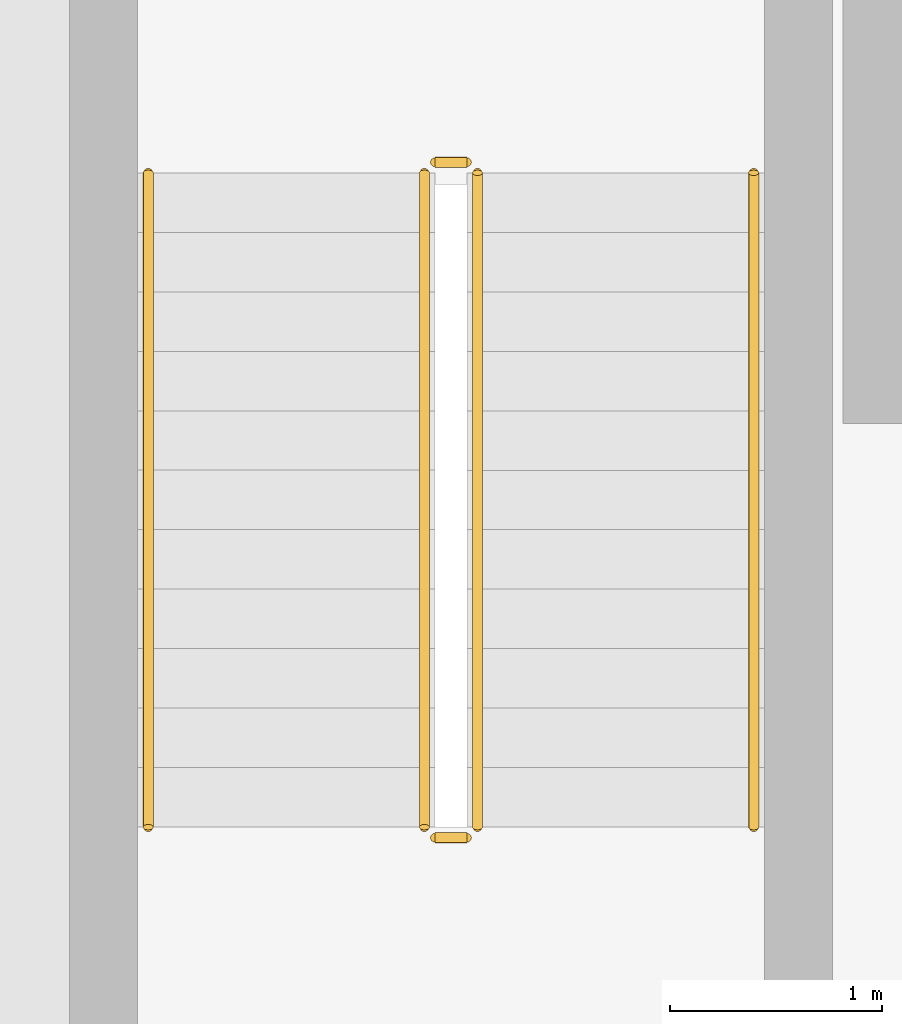
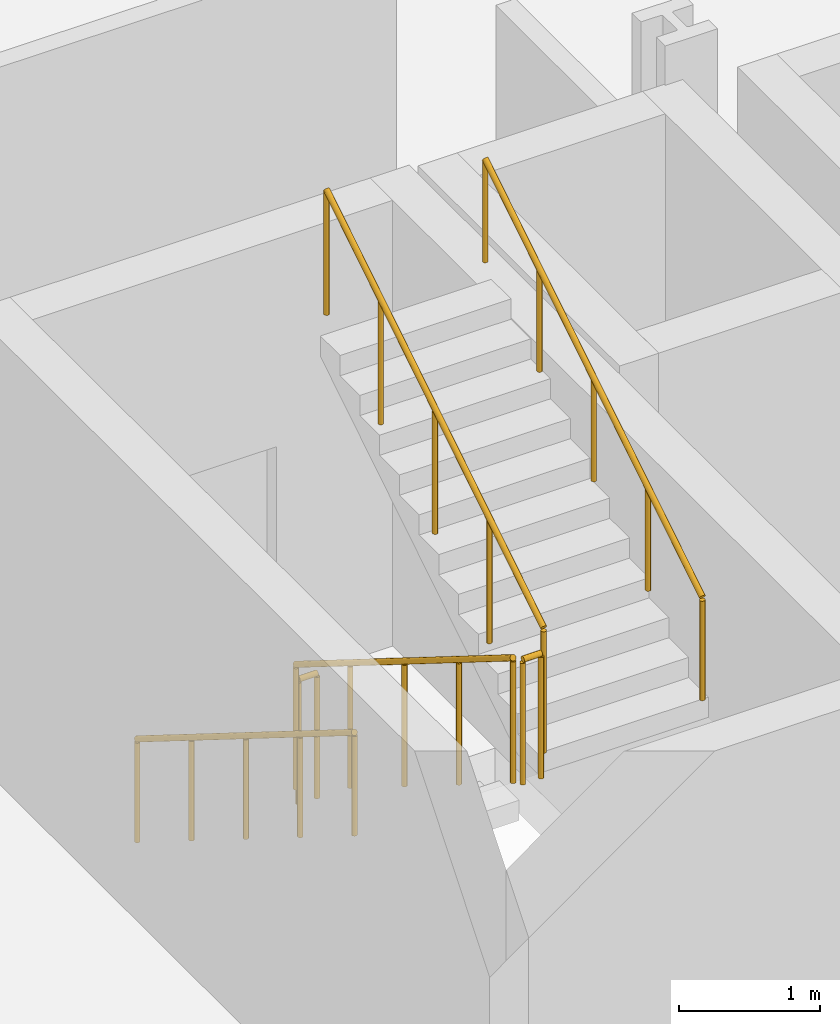
# One storey, part 11 of 12: 6 railings.
"""IFC4 building model written with IfcOpenShell, lengths in metres."""

import ifcopenshell
import ifcopenshell.guid

model = None  # the IFC model being written
_history = None  # IfcOwnerHistory: only IFC2X3 demands one
_inside = {}  # id of a spatial element -> (the spatial element, [elements in it])
_under = {}  # id of a project, library or spatial element -> (it, [spatial elements below it])
_declared = {}  # id of a project -> (the project, [libraries it declares])
_typed = {}  # id of a type object -> (the type object, [elements of that type])
_made_of = {}  # id of a material, layer set ... -> (it, [elements and type objects made of it])


def new_model(schema):
    """Start an empty IFC model of exactly this schema.

    Asked for "IFC4X3", IfcOpenShell would pick the latest addendum, in which some entities
    have other attributes; the version numbers below select the first issue.
    IFC2X3 requires an IfcOwnerHistory on every rooted entity: one is made here for all.
    """
    global model, _history
    if schema == "IFC4X3":
        model = ifcopenshell.file(schema_version=(4, 3, 0, 0))
    else:
        model = ifcopenshell.file(schema=schema)
    _inside.clear()
    _under.clear()
    _declared.clear()
    _typed.clear()
    _made_of.clear()
    _history = None
    if model.schema == "IFC2X3":
        org = make("IfcOrganization", Name="unknown")
        user = make(
            "IfcPersonAndOrganization",
            ThePerson=make("IfcPerson", FamilyName="unknown"),
            TheOrganization=org,
        )
        app = make(
            "IfcApplication",
            ApplicationDeveloper=org,
            Version="unknown",
            ApplicationFullName="unknown",
            ApplicationIdentifier="unknown",
        )
        _history = make(
            "IfcOwnerHistory",
            OwningUser=user,
            OwningApplication=app,
            ChangeAction="ADDED",
            CreationDate=0,
        )
    return model


def make(cls, **values):
    """One entity of the class cls with the attributes given. An attribute that is None is left unset."""
    return model.create_entity(
        cls, **{name: value for name, value in values.items() if value is not None}
    )


def rooted(cls, **values):
    """An entity with a GlobalId (a new one), such as an element, a storey or a relation."""
    return make(cls, GlobalId=ifcopenshell.guid.new(), OwnerHistory=_history, **values)


def si_unit(unit_type, name, prefix=None):
    """IfcSIUnit, for example si_unit("LENGTHUNIT", "METRE", prefix="MILLI")."""
    return make("IfcSIUnit", UnitType=unit_type, Prefix=prefix, Name=name)


def assignment(units):
    """IfcUnitAssignment: the units of a project."""
    return None if units is None else make("IfcUnitAssignment", Units=units)


def point(xyz):
    """IfcCartesianPoint."""
    return None if xyz is None else make("IfcCartesianPoint", Coordinates=xyz)


def direction(xyz):
    """IfcDirection."""
    return None if xyz is None else make("IfcDirection", DirectionRatios=xyz)


def frame(location, z_axis=None, x_axis=None):
    """IfcAxis2Placement3D, a coordinate frame: its origin and axes. An axis left out is left unset."""
    return make(
        "IfcAxis2Placement3D",
        Location=point(location),
        Axis=direction(z_axis),
        RefDirection=direction(x_axis),
    )


def frame_2d(location, x_axis=None):
    """IfcAxis2Placement2D, a coordinate frame in the plane: its origin and x axis."""
    return make(
        "IfcAxis2Placement2D", Location=point(location), RefDirection=direction(x_axis)
    )


def origin():
    """The frame at (0, 0, 0) with its axes left unset."""
    return frame((0.0, 0.0, 0.0))


def origin_2d():
    """The frame at (0, 0) in the plane with its x axis left unset."""
    return frame_2d((0.0, 0.0))


def place(relative_to, where):
    """IfcLocalPlacement: puts the frame where relative to a parent placement (None: the world)."""
    return make(
        "IfcLocalPlacement", PlacementRelTo=relative_to, RelativePlacement=where
    )


def context(
    kind, dimensions, precision=None, world=None, true_north=None, identifier=None
):
    """IfcGeometricRepresentationContext, for example the 3D "Model" context."""
    return make(
        "IfcGeometricRepresentationContext",
        ContextIdentifier=identifier,
        ContextType=kind,
        CoordinateSpaceDimension=dimensions,
        Precision=precision,
        WorldCoordinateSystem=world,
        TrueNorth=true_north,
    )


def subcontext(parent, identifier, kind, view, scale=None):
    """IfcGeometricRepresentationSubContext, for example "Body" below "Model"."""
    return make(
        "IfcGeometricRepresentationSubContext",
        ContextIdentifier=identifier,
        ContextType=kind,
        ParentContext=parent,
        TargetScale=scale,
        TargetView=view,
    )


def project(units=None, contexts=None):
    """IfcProject with its units and contexts."""
    return rooted(
        "IfcProject",
        Name="project",
        RepresentationContexts=contexts,
        UnitsInContext=assignment(units),
    )


def spatial(cls, under=None, at=None, **own):
    """A site, building, storey or space (cls), placed at a placement, below another one or the project."""
    s = rooted(cls, ObjectPlacement=at, **own)
    if under is not None:
        _under.setdefault(under.id(), (under, []))[1].append(s)
    return s


def profile(cls, at=None, kind="AREA", **sizes):
    """A parametric profile (cls). Its sizes go by their IFC names, for example OverallWidth=200.0."""
    return make(cls, ProfileType=kind, Position=at, **sizes)


def circle(**sizes):
    """IfcCircleProfileDef."""
    return profile("IfcCircleProfileDef", **sizes)


def extrude(swept, where, along, depth):
    """IfcExtrudedAreaSolid: the profile swept, set in the frame where, extruded along a direction by depth."""
    return make(
        "IfcExtrudedAreaSolid",
        SweptArea=swept,
        Position=where,
        ExtrudedDirection=direction(along),
        Depth=depth,
    )


def shape(context_of_items, identifier, shape_type, items):
    """IfcShapeRepresentation: the items that make up one representation, for example the "Body"."""
    return make(
        "IfcShapeRepresentation",
        ContextOfItems=context_of_items,
        RepresentationIdentifier=identifier,
        RepresentationType=shape_type,
        Items=items,
    )


def material(Name=None, Category=None):
    """IfcMaterial."""
    return make("IfcMaterial", Name=Name, Category=Category)


def made_of(thing, what):
    """Note that an element or type object is made of a material, layer set ...; save() writes the relation."""
    if what is not None:
        _made_of.setdefault(what.id(), (what, []))[1].append(thing)
    return thing


def type_object(cls, material=None, **own):
    """A type object (cls), such as IfcWallType, which elements share."""
    return made_of(rooted(cls, **own), material)


def element(
    cls,
    number,
    at=None,
    inside=None,
    cuts=None,
    type_object=None,
    material=None,
    context=None,
    identifier="Body",
    shape_type=None,
    held_by="IfcProductDefinitionShape",
    body=None,
    shapes=None,
    **own,
):
    """One element of the class cls, such as IfcWall. Its Tag is "e" and its number.

    at: its placement. inside: the storey or other place that contains it. cuts: it is an
    opening in that element (IfcRelVoidsElement). A single representation is given by context,
    identifier, shape_type and body (its items); several are given by shapes. held_by: the class
    of the entity that holds the representations. save() writes the other relations.
    """
    e = rooted(cls, Tag="e%d" % number, ObjectPlacement=at, **own)
    if body is not None:
        shapes = [shape(context, identifier, shape_type, body)]
    if shapes is not None:
        e.Representation = make(held_by, Representations=shapes)
    if inside is not None:
        _inside.setdefault(inside.id(), (inside, []))[1].append(e)
    if cuts is not None:
        rooted(
            "IfcRelVoidsElement", RelatingBuildingElement=cuts, RelatedOpeningElement=e
        )
    if type_object is not None:
        _typed.setdefault(type_object.id(), (type_object, []))[1].append(e)
    return made_of(e, material)


def aggregate(whole, parts):
    """IfcRelAggregates: a whole, such as a stair, and the parts it consists of."""
    return rooted("IfcRelAggregates", RelatingObject=whole, RelatedObjects=parts)


def save(model, path):
    """Write the relations noted so far, then the file.

    IfcRelAggregates (storeys below a building ...), IfcRelContainedInSpatialStructure (elements
    in a storey), IfcRelDefinesByType, IfcRelAssociatesMaterial and IfcRelDeclares: one each for
    every whole, place, type object, material and project.
    """
    for whole, parts in _under.values():
        aggregate(whole, parts)
    for where, things in _inside.values():
        rooted(
            "IfcRelContainedInSpatialStructure",
            RelatedElements=things,
            RelatingStructure=where,
        )
    for kind, things in _typed.values():
        rooted("IfcRelDefinesByType", RelatedObjects=things, RelatingType=kind)
    for what, things in _made_of.values():
        rooted("IfcRelAssociatesMaterial", RelatedObjects=things, RelatingMaterial=what)
    for by, libraries in _declared.values():
        rooted("IfcRelDeclares", RelatingContext=by, RelatedDefinitions=libraries)
    model.write(path)


model = new_model("IFC4")

# Units and contexts
model_context = context("Model", 3, precision=1e-05, world=origin(), true_north=direction((0.0, 1.0)))
body_context = subcontext(model_context, "Body", "Model", "MODEL_VIEW")
ifc_project = project(units=[si_unit("LENGTHUNIT", "METRE"), si_unit("AREAUNIT", "SQUARE_METRE"), si_unit("VOLUMEUNIT", "CUBIC_METRE"), si_unit("PLANEANGLEUNIT", "RADIAN"), si_unit("MASSUNIT", "GRAM", prefix="KILO")], contexts=[model_context])

# Site, building, storey
site_placement = place(None, origin())
site = spatial("IfcSite", under=ifc_project, at=site_placement, CompositionType="ELEMENT")
building_placement = place(site_placement, origin())
building = spatial("IfcBuilding", under=site, at=building_placement, Name="Brevholm Reach", CompositionType="ELEMENT")
storey_placement = place(building_placement, frame((0.0, 0.0, -4.199951171875)))
storey = spatial("IfcBuildingStorey", under=building, at=storey_placement, Name="B01", CompositionType="ELEMENT", Elevation=-4.199951171875)

# Railings
ifc_material_1 = material(Name="Brushed Stainless Steel EN 1.4401 Continuous Handrail", Category="steel")
railing_type_1 = type_object("IfcRailingType", Name="RAL-HND-950", PredefinedType="HANDRAIL", material=ifc_material_1)
railing_1_placement = place(storey_placement, frame((42.5, 8.10009765625, 0.175048828125)))
element("IfcRailing", 1, at=railing_1_placement, inside=storey, type_object=railing_type_1, Name="B01 ST-2 stair handrail 1", PredefinedType="HANDRAIL", context=body_context, shape_type="SweptSolid", body=[
    extrude(circle(Radius=0.02392578125, at=origin_2d()), frame((0.0, 0.0, 0.8857421875), z_axis=(0.0, -0.848028513186, 0.529950602248), x_axis=(1.0, 0.0, 0.0)), (0.0, 0.0, 1.0), 3.632080078125),
    extrude(circle(Radius=0.02099609375, at=origin_2d()), origin(), (0.0, 0.0, 1.0), 0.86181640625),
    extrude(circle(Radius=0.02099609375, at=origin_2d()), frame((0.0, -0.77001953125, 0.481201171875)), (0.0, 0.0, 1.0), 0.86181640625),
    extrude(circle(Radius=0.02099609375, at=origin_2d()), frame((0.0, -1.5400390625, 0.96240234375)), (0.0, 0.0, 1.0), 0.86181640625),
    extrude(circle(Radius=0.02099609375, at=origin_2d()), frame((0.0, -2.31005859375, 1.443603515625)), (0.0, 0.0, 1.0), 0.86181640625),
    extrude(circle(Radius=0.02099609375, at=origin_2d()), frame((0.0, -3.080078125, 1.9248046875)), (0.0, 0.0, 1.0), 0.86181640625),
])
railing_2_placement = place(storey_placement, frame((45.35009765625, 5.02001953125, 2.27490234375)))
element("IfcRailing", 2, at=railing_2_placement, inside=storey, type_object=railing_type_1, Name="B01 ST-2 stair handrail 2", PredefinedType="HANDRAIL", context=body_context, shape_type="SweptSolid", body=[
    extrude(circle(Radius=0.02392578125, at=origin_2d()), frame((0.0, 0.0, 0.8857421875), z_axis=(0.0, 0.847998304005, 0.529998940003), x_axis=(-1.0, 0.0, 0.0)), (0.0, 0.0, 1.0), 3.632080078125),
    extrude(circle(Radius=0.02099609375, at=origin_2d()), origin(), (0.0, 0.0, 1.0), 0.86181640625),
    extrude(circle(Radius=0.02099609375, at=origin_2d()), frame((0.0, 0.77001953125, 0.481201171875)), (0.0, 0.0, 1.0), 0.86181640625),
    extrude(circle(Radius=0.02099609375, at=origin_2d()), frame((0.0, 1.5400390625, 0.96240234375)), (0.0, 0.0, 1.0), 0.86181640625),
    extrude(circle(Radius=0.02099609375, at=origin_2d()), frame((0.0, 2.31005859375, 1.44384765625)), (0.0, 0.0, 1.0), 0.86181640625),
    extrude(circle(Radius=0.02099609375, at=origin_2d()), frame((0.0, 3.080078125, 1.925048828125)), (0.0, 0.0, 1.0), 0.86181640625),
])
ifc_material_2 = material(Name="Painted Tubular Galvanised Steel S275JR Stair Guard", Category="steel")
railing_type_2 = type_object("IfcRailingType", Name="RAL-STG-1120", PredefinedType="BALUSTRADE", material=ifc_material_2)
railing_3_placement = place(storey_placement, frame((43.800048828125, 8.10009765625, 0.175048828125)))
element("IfcRailing", 3, at=railing_3_placement, inside=storey, type_object=railing_type_2, Name="B01 ST-2 stair guard 1", PredefinedType="BALUSTRADE", context=body_context, shape_type="SweptSolid", body=[
    extrude(circle(Radius=0.02392578125, at=origin_2d()), frame((0.0, 0.0, 1.076171875), z_axis=(0.0, -0.848028513186, 0.529950602248), x_axis=(1.0, 0.0, 0.0)), (0.0, 0.0, 1.0), 3.632080078125),
    extrude(circle(Radius=0.02099609375, at=origin_2d()), origin(), (0.0, 0.0, 1.0), 1.052001953125),
    extrude(circle(Radius=0.02099609375, at=origin_2d()), frame((0.0, -0.77001953125, 0.481201171875)), (0.0, 0.0, 1.0), 1.052001953125),
    extrude(circle(Radius=0.02099609375, at=origin_2d()), frame((0.0, -1.5400390625, 0.96240234375)), (0.0, 0.0, 1.0), 1.052001953125),
    extrude(circle(Radius=0.02099609375, at=origin_2d()), frame((0.0, -2.31005859375, 1.443603515625)), (0.0, 0.0, 1.0), 1.052001953125),
    extrude(circle(Radius=0.02099609375, at=origin_2d()), frame((0.0, -3.080078125, 1.9248046875)), (0.0, 0.0, 1.0), 1.052001953125),
])
railing_4_placement = place(storey_placement, frame((43.85009765625, 4.969970703125, 2.099853515625)))
element("IfcRailing", 4, at=railing_4_placement, inside=storey, type_object=railing_type_2, Name="B01 ST-2 stair guard 2", PredefinedType="BALUSTRADE", context=body_context, shape_type="SweptSolid", body=[
    extrude(circle(Radius=0.02392578125, at=origin_2d()), frame((0.0, 0.0, 1.076171875), z_axis=(1.0, 0.0, 0.0), x_axis=(0.0, 1.0, 0.0)), (0.0, 0.0, 1.0), 0.14990234375),
    extrude(circle(Radius=0.02099609375, at=origin_2d()), origin(), (0.0, 0.0, 1.0), 1.052001953125),
    extrude(circle(Radius=0.02099609375, at=origin_2d()), frame((0.14990234375, 0.0, 0.0)), (0.0, 0.0, 1.0), 1.052001953125),
])
railing_5_placement = place(storey_placement, frame((44.050048828125, 5.02001953125, 2.27490234375)))
element("IfcRailing", 5, at=railing_5_placement, inside=storey, type_object=railing_type_2, Name="B01 ST-2 stair guard 3", PredefinedType="BALUSTRADE", context=body_context, shape_type="SweptSolid", body=[
    extrude(circle(Radius=0.02392578125, at=origin_2d()), frame((0.0, 0.0, 1.076171875), z_axis=(0.0, 0.847998304005, 0.529998940003), x_axis=(-1.0, 0.0, 0.0)), (0.0, 0.0, 1.0), 3.632080078125),
    extrude(circle(Radius=0.02099609375, at=origin_2d()), origin(), (0.0, 0.0, 1.0), 1.052001953125),
    extrude(circle(Radius=0.02099609375, at=origin_2d()), frame((0.0, 0.77001953125, 0.481201171875)), (0.0, 0.0, 1.0), 1.052001953125),
    extrude(circle(Radius=0.02099609375, at=origin_2d()), frame((0.0, 1.5400390625, 0.96240234375)), (0.0, 0.0, 1.0), 1.052001953125),
    extrude(circle(Radius=0.02099609375, at=origin_2d()), frame((0.0, 2.31005859375, 1.44384765625)), (0.0, 0.0, 1.0), 1.052001953125),
    extrude(circle(Radius=0.02099609375, at=origin_2d()), frame((0.0, 3.080078125, 1.925048828125)), (0.0, 0.0, 1.0), 1.052001953125),
])
railing_6_placement = place(storey_placement, frame((43.85009765625, 8.14990234375, 0.0)))
element("IfcRailing", 6, at=railing_6_placement, inside=storey, type_object=railing_type_2, Name="B01 ST-2 stair guard 4", PredefinedType="BALUSTRADE", context=body_context, shape_type="SweptSolid", body=[
    extrude(circle(Radius=0.02392578125, at=origin_2d()), frame((0.0, 0.0, 1.076171875), z_axis=(1.0, 0.0, 0.0), x_axis=(0.0, 1.0, 0.0)), (0.0, 0.0, 1.0), 0.14990234375),
    extrude(circle(Radius=0.02099609375, at=origin_2d()), origin(), (0.0, 0.0, 1.0), 1.052001953125),
    extrude(circle(Radius=0.02099609375, at=origin_2d()), frame((0.14990234375, 0.0, 0.0)), (0.0, 0.0, 1.0), 1.052001953125),
])

save(model, "model.ifc")
